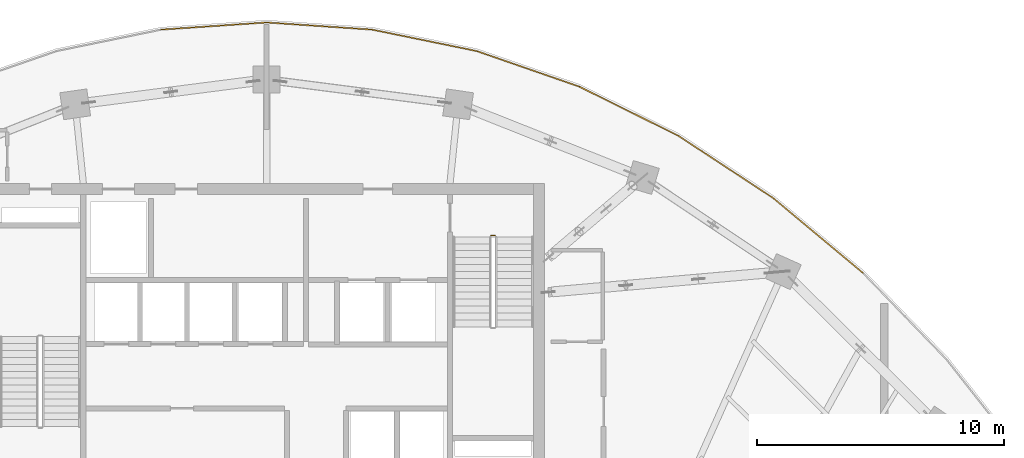
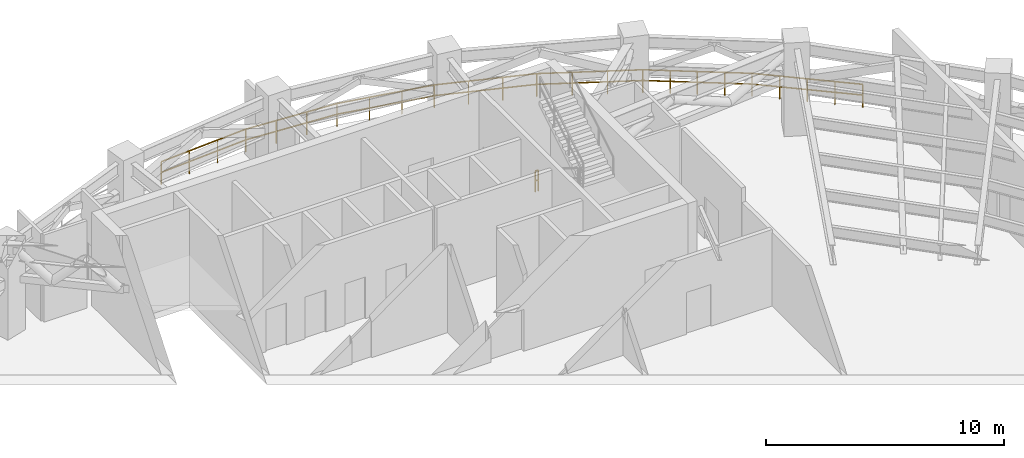
# One storey, part 22 of 24: 8 railings.
"""IFC4 building model written with IfcOpenShell, lengths in metres."""

from ifc_helpers import new_model, si_unit, direction, frame, origin, origin_2d, place, context, subcontext, project, spatial, rectangle, extrude, material, type_object, element, save


model = new_model("IFC4")

# Units and contexts
model_context = context("Model", 3, precision=1e-05, world=origin(), true_north=direction((0.0, 1.0)))
body_context = subcontext(model_context, "Body", "Model", "MODEL_VIEW")
ifc_project = project(units=[si_unit("LENGTHUNIT", "METRE"), si_unit("AREAUNIT", "SQUARE_METRE"), si_unit("VOLUMEUNIT", "CUBIC_METRE"), si_unit("PLANEANGLEUNIT", "RADIAN"), si_unit("MASSUNIT", "GRAM", prefix="KILO")], contexts=[model_context])

# Site, building, storey
site_placement = place(None, origin())
site = spatial("IfcSite", under=ifc_project, at=site_placement, CompositionType="ELEMENT")
building_placement = place(site_placement, origin())
building = spatial("IfcBuilding", under=site, at=building_placement, Name="Breltana Convention Tower", CompositionType="ELEMENT")
storey_placement = place(building_placement, frame((0.0, 0.0, 189.60009765625)))
storey = spatial("IfcBuildingStorey", under=building, at=storey_placement, Name="L46", CompositionType="ELEMENT", Elevation=189.60009765625)

# Railings
ifc_material_1 = material(Name="Steel S275 Painted", Category="steel")
railing_type_1 = type_object("IfcRailingType", Name="RL-STAIR-GUARD-1100", PredefinedType="GUARDRAIL", material=ifc_material_1)
railing_1_placement = place(storey_placement, frame((57.090087890625, 70.090087890625, 0.0)))
element("IfcRailing", 1, at=railing_1_placement, inside=storey, type_object=railing_type_1, Name="L46 ST-2 stair guard 4", PredefinedType="GUARDRAIL", context=body_context, shape_type="SweptSolid", body=[
    extrude(rectangle(XDim=0.048095703125, YDim=0.048095703125, at=origin_2d()), frame((0.0, 0.0, 1.076171875), z_axis=(1.0, 0.0, 0.0), x_axis=(0.0, 1.0, 0.0)), (0.0, 0.0, 1.0), 0.14990234375),
    extrude(rectangle(XDim=0.048095703125, YDim=0.048095703125, at=origin_2d()), frame((0.0, 0.0, 0.572021484375), z_axis=(1.0, 0.0, 0.0), x_axis=(0.0, 1.0, 0.0)), (0.0, 0.0, 1.0), 0.14990234375),
    extrude(rectangle(XDim=0.0419921875, YDim=0.0419921875, at=origin_2d()), origin(), (0.0, 0.0, 1.0), 1.052001953125),
    extrude(rectangle(XDim=0.0419921875, YDim=0.0419921875, at=origin_2d()), frame((0.14990234375, 0.0, 0.0)), (0.0, 0.0, 1.0), 1.052001953125),
])
ifc_material_2 = material(Name="Stainless Steel 316L", Category="steel")
railing_type_2 = type_object("IfcRailingType", Name="RL-WIND-GUARD-1200", PredefinedType="BALUSTRADE", material=ifc_material_2)
railing_2_placement = place(storey_placement, frame((43.728759765625, 78.42578125, 0.0)))
element("IfcRailing", 2, at=railing_2_placement, inside=storey, type_object=railing_type_2, Name="L46 perimeter balustrade 59", PredefinedType="BALUSTRADE", context=body_context, shape_type="SweptSolid", body=[
    extrude(rectangle(XDim=0.048095703125, YDim=0.048095703125, at=origin_2d()), frame((0.0, 0.0, 1.17578125), z_axis=(0.99770239047, 0.067749096306, 0.0), x_axis=(-0.067749096306, 0.99770239047, 0.0)), (0.0, 0.0, 1.0), 4.281005859375),
    extrude(rectangle(XDim=0.048095703125, YDim=0.048095703125, at=origin_2d()), frame((0.0, 0.0, 0.6240234375), z_axis=(0.99770239047, 0.067749096306, 0.0), x_axis=(-0.067749096306, 0.99770239047, 0.0)), (0.0, 0.0, 1.0), 4.281005859375),
    extrude(rectangle(XDim=0.0419921875, YDim=0.0419921875, at=origin_2d()), origin(), (0.0, 0.0, 1.0), 1.15185546875),
    extrude(rectangle(XDim=0.0419921875, YDim=0.0419921875, at=origin_2d()), frame((1.423828125, 0.0966796875, 0.0)), (0.0, 0.0, 1.0), 1.15185546875),
    extrude(rectangle(XDim=0.0419921875, YDim=0.0419921875, at=origin_2d()), frame((2.847412109375, 0.193359375, 0.0)), (0.0, 0.0, 1.0), 1.15185546875),
    extrude(rectangle(XDim=0.0419921875, YDim=0.0419921875, at=origin_2d()), frame((4.271240234375, 0.2900390625, 0.0)), (0.0, 0.0, 1.0), 1.15185546875),
])
railing_3_placement = place(storey_placement, frame((48.0, 78.7158203125, 0.0)))
element("IfcRailing", 3, at=railing_3_placement, inside=storey, type_object=railing_type_2, Name="L46 perimeter balustrade 60", PredefinedType="BALUSTRADE", context=body_context, shape_type="SweptSolid", body=[
    extrude(rectangle(XDim=0.048095703125, YDim=0.048095703125, at=origin_2d()), frame((0.0, 0.0, 1.17578125), z_axis=(0.99770239047, -0.067749096306, 0.0), x_axis=(0.067749096306, 0.99770239047, 0.0)), (0.0, 0.0, 1.0), 4.281005859375),
    extrude(rectangle(XDim=0.048095703125, YDim=0.048095703125, at=origin_2d()), frame((0.0, 0.0, 0.6240234375), z_axis=(0.99770239047, -0.067749096306, 0.0), x_axis=(0.067749096306, 0.99770239047, 0.0)), (0.0, 0.0, 1.0), 4.281005859375),
    extrude(rectangle(XDim=0.0419921875, YDim=0.0419921875, at=origin_2d()), origin(), (0.0, 0.0, 1.0), 1.15185546875),
    extrude(rectangle(XDim=0.0419921875, YDim=0.0419921875, at=origin_2d()), frame((1.423828125, -0.0966796875, 0.0)), (0.0, 0.0, 1.0), 1.15185546875),
    extrude(rectangle(XDim=0.0419921875, YDim=0.0419921875, at=origin_2d()), frame((2.847412109375, -0.193359375, 0.0)), (0.0, 0.0, 1.0), 1.15185546875),
    extrude(rectangle(XDim=0.0419921875, YDim=0.0419921875, at=origin_2d()), frame((4.271240234375, -0.2900390625, 0.0)), (0.0, 0.0, 1.0), 1.15185546875),
])
railing_4_placement = place(storey_placement, frame((52.271240234375, 78.42578125, 0.0)))
element("IfcRailing", 4, at=railing_4_placement, inside=storey, type_object=railing_type_2, Name="L46 perimeter balustrade 61", PredefinedType="BALUSTRADE", context=body_context, shape_type="SweptSolid", body=[
    extrude(rectangle(XDim=0.048095703125, YDim=0.048095703125, at=origin_2d()), frame((0.0, 0.0, 1.17578125), z_axis=(0.97961840065, -0.200867590987, 0.0), x_axis=(0.200867590987, 0.97961840065, 0.0)), (0.0, 0.0, 1.0), 4.31591796875),
    extrude(rectangle(XDim=0.048095703125, YDim=0.048095703125, at=origin_2d()), frame((0.0, 0.0, 0.6240234375), z_axis=(0.97961840065, -0.200867590987, 0.0), x_axis=(0.200867590987, 0.97961840065, 0.0)), (0.0, 0.0, 1.0), 4.31591796875),
    extrude(rectangle(XDim=0.0419921875, YDim=0.0419921875, at=origin_2d()), origin(), (0.0, 0.0, 1.0), 1.15185546875),
    extrude(rectangle(XDim=0.0419921875, YDim=0.0419921875, at=origin_2d()), frame((1.409423828125, -0.2890625, 0.0)), (0.0, 0.0, 1.0), 1.15185546875),
    extrude(rectangle(XDim=0.0419921875, YDim=0.0419921875, at=origin_2d()), frame((2.818603515625, -0.577880859375, 0.0)), (0.0, 0.0, 1.0), 1.15185546875),
    extrude(rectangle(XDim=0.0419921875, YDim=0.0419921875, at=origin_2d()), frame((4.22802734375, -0.866943359375, 0.0)), (0.0, 0.0, 1.0), 1.15185546875),
])
railing_5_placement = place(storey_placement, frame((56.499267578125, 77.558837890625, 0.0)))
element("IfcRailing", 5, at=railing_5_placement, inside=storey, type_object=railing_type_2, Name="L46 perimeter balustrade 62", PredefinedType="BALUSTRADE", context=body_context, shape_type="SweptSolid", body=[
    extrude(rectangle(XDim=0.048095703125, YDim=0.048095703125, at=origin_2d()), frame((0.0, 0.0, 1.17578125), z_axis=(0.944879401388, -0.327418565192, 0.0), x_axis=(0.327418565192, 0.944879401388, 0.0)), (0.0, 0.0, 1.0), 4.383056640625),
    extrude(rectangle(XDim=0.048095703125, YDim=0.048095703125, at=origin_2d()), frame((0.0, 0.0, 0.6240234375), z_axis=(0.944879401388, -0.327418565192, 0.0), x_axis=(0.327418565192, 0.944879401388, 0.0)), (0.0, 0.0, 1.0), 4.383056640625),
    extrude(rectangle(XDim=0.0419921875, YDim=0.0419921875, at=origin_2d()), origin(), (0.0, 0.0, 1.0), 1.15185546875),
    extrude(rectangle(XDim=0.0419921875, YDim=0.0419921875, at=origin_2d()), frame((1.38037109375, -0.478271484375, 0.0)), (0.0, 0.0, 1.0), 1.15185546875),
    extrude(rectangle(XDim=0.0419921875, YDim=0.0419921875, at=origin_2d()), frame((2.760986328125, -0.956787109375, 0.0)), (0.0, 0.0, 1.0), 1.15185546875),
    extrude(rectangle(XDim=0.0419921875, YDim=0.0419921875, at=origin_2d()), frame((4.141357421875, -1.43505859375, 0.0)), (0.0, 0.0, 1.0), 1.15185546875),
])
railing_6_placement = place(storey_placement, frame((60.640625, 76.123779296875, 0.0)))
element("IfcRailing", 6, at=railing_6_placement, inside=storey, type_object=railing_type_2, Name="L46 perimeter balustrade 63", PredefinedType="BALUSTRADE", context=body_context, shape_type="SweptSolid", body=[
    extrude(rectangle(XDim=0.048095703125, YDim=0.048095703125, at=origin_2d()), frame((0.0, 0.0, 1.17578125), z_axis=(0.895969990972, -0.44411459701, 0.0), x_axis=(0.44411459701, 0.895969990972, 0.0)), (0.0, 0.0, 1.0), 4.478515625),
    extrude(rectangle(XDim=0.048095703125, YDim=0.048095703125, at=origin_2d()), frame((0.0, 0.0, 0.6240234375), z_axis=(0.895969990972, -0.44411459701, 0.0), x_axis=(0.44411459701, 0.895969990972, 0.0)), (0.0, 0.0, 1.0), 4.478515625),
    extrude(rectangle(XDim=0.0419921875, YDim=0.0419921875, at=origin_2d()), origin(), (0.0, 0.0, 1.0), 1.15185546875),
    extrude(rectangle(XDim=0.0419921875, YDim=0.0419921875, at=origin_2d()), frame((1.337646484375, -0.6630859375, 0.0)), (0.0, 0.0, 1.0), 1.15185546875),
    extrude(rectangle(XDim=0.0419921875, YDim=0.0419921875, at=origin_2d()), frame((2.675048828125, -1.325927734375, 0.0)), (0.0, 0.0, 1.0), 1.15185546875),
    extrude(rectangle(XDim=0.0419921875, YDim=0.0419921875, at=origin_2d()), frame((4.0126953125, -1.989013671875, 0.0)), (0.0, 0.0, 1.0), 1.15185546875),
])
railing_7_placement = place(storey_placement, frame((64.6533203125, 74.134765625, 0.0)))
element("IfcRailing", 7, at=railing_7_placement, inside=storey, type_object=railing_type_2, Name="L46 perimeter balustrade 64", PredefinedType="BALUSTRADE", context=body_context, shape_type="SweptSolid", body=[
    extrude(rectangle(XDim=0.048095703125, YDim=0.048095703125, at=origin_2d()), frame((0.0, 0.0, 1.17578125), z_axis=(0.835935222433, -0.548828118718, 0.0), x_axis=(0.548828118718, 0.835935222433, 0.0)), (0.0, 0.0, 1.0), 4.596923828125),
    extrude(rectangle(XDim=0.048095703125, YDim=0.048095703125, at=origin_2d()), frame((0.0, 0.0, 0.6240234375), z_axis=(0.835935222433, -0.548828118718, 0.0), x_axis=(0.548828118718, 0.835935222433, 0.0)), (0.0, 0.0, 1.0), 4.596923828125),
    extrude(rectangle(XDim=0.0419921875, YDim=0.0419921875, at=origin_2d()), origin(), (0.0, 0.0, 1.0), 1.15185546875),
    extrude(rectangle(XDim=0.0419921875, YDim=0.0419921875, at=origin_2d()), frame((0.960693359375, -0.630859375, 0.0)), (0.0, 0.0, 1.0), 1.15185546875),
    extrude(rectangle(XDim=0.0419921875, YDim=0.0419921875, at=origin_2d()), frame((1.92138671875, -1.261474609375, 0.0)), (0.0, 0.0, 1.0), 1.15185546875),
    extrude(rectangle(XDim=0.0419921875, YDim=0.0419921875, at=origin_2d()), frame((2.882080078125, -1.89208984375, 0.0)), (0.0, 0.0, 1.0), 1.15185546875),
    extrude(rectangle(XDim=0.0419921875, YDim=0.0419921875, at=origin_2d()), frame((3.8427734375, -2.52294921875, 0.0)), (0.0, 0.0, 1.0), 1.15185546875),
])
railing_8_placement = place(storey_placement, frame((68.49609375, 71.61181640625, 0.0)))
element("IfcRailing", 8, at=railing_8_placement, inside=storey, type_object=railing_type_2, Name="L46 perimeter balustrade 65", PredefinedType="BALUSTRADE", context=body_context, shape_type="SweptSolid", body=[
    extrude(rectangle(XDim=0.048095703125, YDim=0.048095703125, at=origin_2d()), frame((0.0, 0.0, 1.17578125), z_axis=(0.7679717109, -0.640483763461, 0.0), x_axis=(0.640483763461, 0.7679717109, 0.0)), (0.0, 0.0, 1.0), 4.73193359375),
    extrude(rectangle(XDim=0.048095703125, YDim=0.048095703125, at=origin_2d()), frame((0.0, 0.0, 0.6240234375), z_axis=(0.7679717109, -0.640483763461, 0.0), x_axis=(0.640483763461, 0.7679717109, 0.0)), (0.0, 0.0, 1.0), 4.73193359375),
    extrude(rectangle(XDim=0.0419921875, YDim=0.0419921875, at=origin_2d()), origin(), (0.0, 0.0, 1.0), 1.15185546875),
    extrude(rectangle(XDim=0.0419921875, YDim=0.0419921875, at=origin_2d()), frame((0.908447265625, -0.7578125, 0.0)), (0.0, 0.0, 1.0), 1.15185546875),
    extrude(rectangle(XDim=0.0419921875, YDim=0.0419921875, at=origin_2d()), frame((1.81689453125, -1.515380859375, 0.0)), (0.0, 0.0, 1.0), 1.15185546875),
    extrude(rectangle(XDim=0.0419921875, YDim=0.0419921875, at=origin_2d()), frame((2.7255859375, -2.27294921875, 0.0)), (0.0, 0.0, 1.0), 1.15185546875),
    extrude(rectangle(XDim=0.0419921875, YDim=0.0419921875, at=origin_2d()), frame((3.634033203125, -3.03076171875, 0.0)), (0.0, 0.0, 1.0), 1.15185546875),
])

save(model, "model.ifc")
